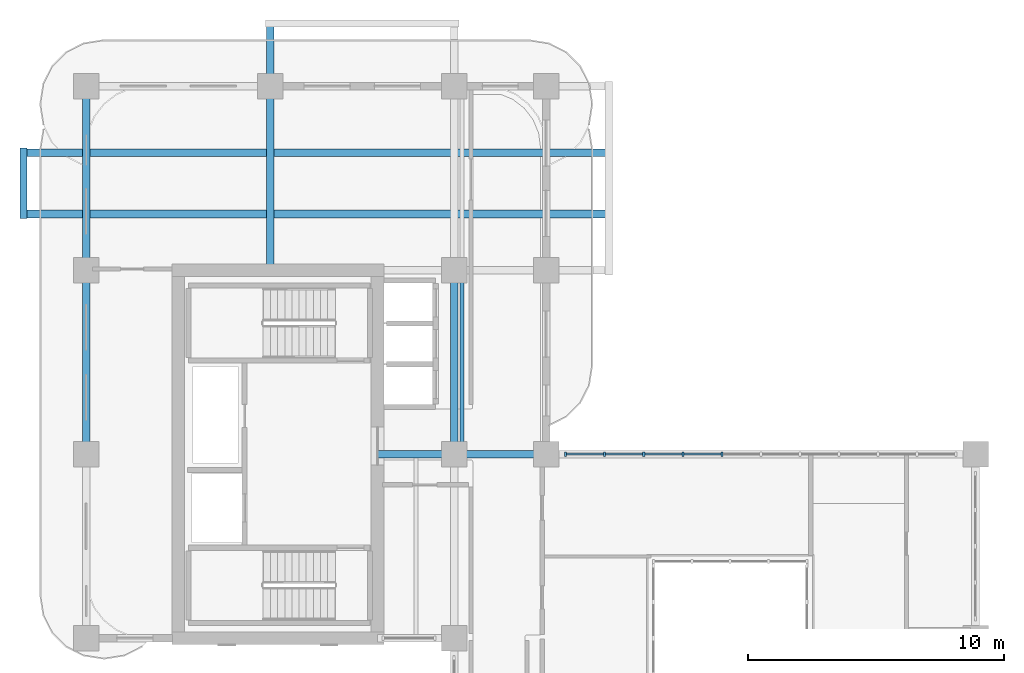
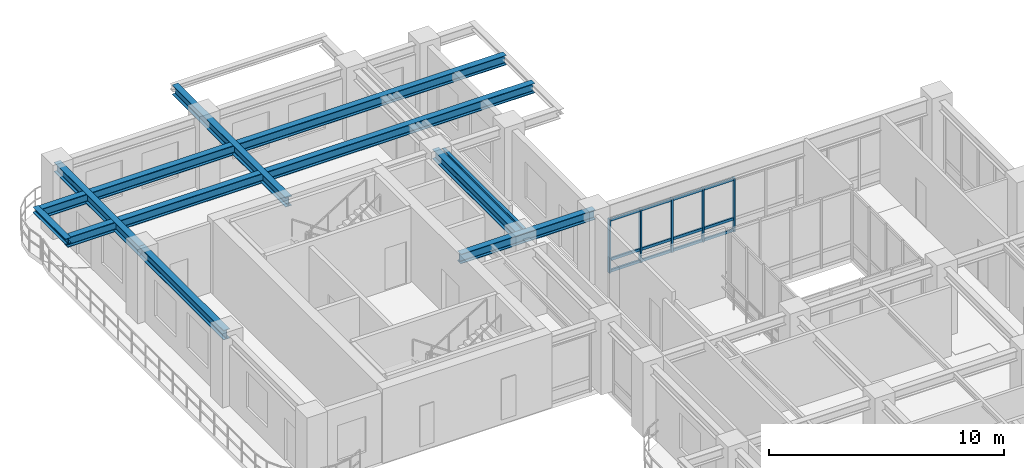
# One storey, part 5 of 19: 17 members, 9 beams, 1 element without a shape of its own.
"""IFC4 building model written with IfcOpenShell, lengths in metres."""

import ifcopenshell
import ifcopenshell.guid

model = None  # the IFC model being written
_history = None  # IfcOwnerHistory: only IFC2X3 demands one
_inside = {}  # id of a spatial element -> (the spatial element, [elements in it])
_under = {}  # id of a project, library or spatial element -> (it, [spatial elements below it])
_declared = {}  # id of a project -> (the project, [libraries it declares])
_typed = {}  # id of a type object -> (the type object, [elements of that type])
_made_of = {}  # id of a material, layer set ... -> (it, [elements and type objects made of it])


def new_model(schema):
    """Start an empty IFC model of exactly this schema.

    Asked for "IFC4X3", IfcOpenShell would pick the latest addendum, in which some entities
    have other attributes; the version numbers below select the first issue.
    IFC2X3 requires an IfcOwnerHistory on every rooted entity: one is made here for all.
    """
    global model, _history
    if schema == "IFC4X3":
        model = ifcopenshell.file(schema_version=(4, 3, 0, 0))
    else:
        model = ifcopenshell.file(schema=schema)
    _inside.clear()
    _under.clear()
    _declared.clear()
    _typed.clear()
    _made_of.clear()
    _history = None
    if model.schema == "IFC2X3":
        org = make("IfcOrganization", Name="unknown")
        user = make(
            "IfcPersonAndOrganization",
            ThePerson=make("IfcPerson", FamilyName="unknown"),
            TheOrganization=org,
        )
        app = make(
            "IfcApplication",
            ApplicationDeveloper=org,
            Version="unknown",
            ApplicationFullName="unknown",
            ApplicationIdentifier="unknown",
        )
        _history = make(
            "IfcOwnerHistory",
            OwningUser=user,
            OwningApplication=app,
            ChangeAction="ADDED",
            CreationDate=0,
        )
    return model


def make(cls, **values):
    """One entity of the class cls with the attributes given. An attribute that is None is left unset."""
    return model.create_entity(
        cls, **{name: value for name, value in values.items() if value is not None}
    )


def rooted(cls, **values):
    """An entity with a GlobalId (a new one), such as an element, a storey or a relation."""
    return make(cls, GlobalId=ifcopenshell.guid.new(), OwnerHistory=_history, **values)


def si_unit(unit_type, name, prefix=None):
    """IfcSIUnit, for example si_unit("LENGTHUNIT", "METRE", prefix="MILLI")."""
    return make("IfcSIUnit", UnitType=unit_type, Prefix=prefix, Name=name)


def derived_unit(unit_type, elements):
    """IfcDerivedUnit: a product of units, each with its exponent."""
    return make(
        "IfcDerivedUnit",
        Elements=[
            make("IfcDerivedUnitElement", Unit=unit, Exponent=power)
            for unit, power in elements
        ],
        UnitType=unit_type,
    )


def assignment(units):
    """IfcUnitAssignment: the units of a project."""
    return None if units is None else make("IfcUnitAssignment", Units=units)


def point(xyz):
    """IfcCartesianPoint."""
    return None if xyz is None else make("IfcCartesianPoint", Coordinates=xyz)


def direction(xyz):
    """IfcDirection."""
    return None if xyz is None else make("IfcDirection", DirectionRatios=xyz)


def frame(location, z_axis=None, x_axis=None):
    """IfcAxis2Placement3D, a coordinate frame: its origin and axes. An axis left out is left unset."""
    return make(
        "IfcAxis2Placement3D",
        Location=point(location),
        Axis=direction(z_axis),
        RefDirection=direction(x_axis),
    )


def frame_2d(location, x_axis=None):
    """IfcAxis2Placement2D, a coordinate frame in the plane: its origin and x axis."""
    return make(
        "IfcAxis2Placement2D", Location=point(location), RefDirection=direction(x_axis)
    )


def origin():
    """The frame at (0, 0, 0) with its axes left unset."""
    return frame((0.0, 0.0, 0.0))


def origin_2d():
    """The frame at (0, 0) in the plane with its x axis left unset."""
    return frame_2d((0.0, 0.0))


def place(relative_to, where):
    """IfcLocalPlacement: puts the frame where relative to a parent placement (None: the world)."""
    return make(
        "IfcLocalPlacement", PlacementRelTo=relative_to, RelativePlacement=where
    )


def context(
    kind, dimensions, precision=None, world=None, true_north=None, identifier=None
):
    """IfcGeometricRepresentationContext, for example the 3D "Model" context."""
    return make(
        "IfcGeometricRepresentationContext",
        ContextIdentifier=identifier,
        ContextType=kind,
        CoordinateSpaceDimension=dimensions,
        Precision=precision,
        WorldCoordinateSystem=world,
        TrueNorth=true_north,
    )


def subcontext(parent, identifier, kind, view, scale=None):
    """IfcGeometricRepresentationSubContext, for example "Body" below "Model"."""
    return make(
        "IfcGeometricRepresentationSubContext",
        ContextIdentifier=identifier,
        ContextType=kind,
        ParentContext=parent,
        TargetScale=scale,
        TargetView=view,
    )


def project(units=None, contexts=None):
    """IfcProject with its units and contexts."""
    return rooted(
        "IfcProject",
        Name="project",
        RepresentationContexts=contexts,
        UnitsInContext=assignment(units),
    )


def spatial(cls, under=None, at=None, **own):
    """A site, building, storey or space (cls), placed at a placement, below another one or the project."""
    s = rooted(cls, ObjectPlacement=at, **own)
    if under is not None:
        _under.setdefault(under.id(), (under, []))[1].append(s)
    return s


def profile(cls, at=None, kind="AREA", **sizes):
    """A parametric profile (cls). Its sizes go by their IFC names, for example OverallWidth=200.0."""
    return make(cls, ProfileType=kind, Position=at, **sizes)


def rectangle(**sizes):
    """IfcRectangleProfileDef."""
    return profile("IfcRectangleProfileDef", **sizes)


def i_section(**sizes):
    """IfcIShapeProfileDef."""
    return profile("IfcIShapeProfileDef", **sizes)


def extrude(swept, where, along, depth):
    """IfcExtrudedAreaSolid: the profile swept, set in the frame where, extruded along a direction by depth."""
    return make(
        "IfcExtrudedAreaSolid",
        SweptArea=swept,
        Position=where,
        ExtrudedDirection=direction(along),
        Depth=depth,
    )


def shape(context_of_items, identifier, shape_type, items):
    """IfcShapeRepresentation: the items that make up one representation, for example the "Body"."""
    return make(
        "IfcShapeRepresentation",
        ContextOfItems=context_of_items,
        RepresentationIdentifier=identifier,
        RepresentationType=shape_type,
        Items=items,
    )


def source(mapping_origin, context_of_items, identifier, shape_type, items):
    """IfcRepresentationMap: a shape defined once, which mapped items show again and again."""
    return make(
        "IfcRepresentationMap",
        MappingOrigin=mapping_origin,
        MappedRepresentation=shape(context_of_items, identifier, shape_type, items),
    )


def transform(
    local_origin,
    x_axis=None,
    y_axis=None,
    z_axis=None,
    scale=None,
    scale2=None,
    scale3=None,
    uniform=True,
):
    """IfcCartesianTransformationOperator3D, or its non-uniform kind. x_axis, y_axis, z_axis: its Axis1, 2, 3."""
    if uniform:
        return make(
            "IfcCartesianTransformationOperator3D",
            Axis1=direction(x_axis),
            Axis2=direction(y_axis),
            LocalOrigin=point(local_origin),
            Scale=scale,
            Axis3=direction(z_axis),
        )
    return make(
        "IfcCartesianTransformationOperator3DnonUniform",
        Axis1=direction(x_axis),
        Axis2=direction(y_axis),
        LocalOrigin=point(local_origin),
        Scale=scale,
        Axis3=direction(z_axis),
        Scale2=scale2,
        Scale3=scale3,
    )


def mapped(mapping_source, mapping_target):
    """IfcMappedItem: shows the shape of a source again, moved by a transform."""
    return make(
        "IfcMappedItem", MappingSource=mapping_source, MappingTarget=mapping_target
    )


def material(Name=None, Category=None):
    """IfcMaterial."""
    return make("IfcMaterial", Name=Name, Category=Category)


def layer(
    of_material, thickness, ventilated=None, Name=None, Category=None, Priority=None
):
    """IfcMaterialLayer: one layer of a wall or slab, of a material (None: an air gap)."""
    return make(
        "IfcMaterialLayer",
        Material=of_material,
        LayerThickness=thickness,
        IsVentilated=ventilated,
        Name=Name,
        Category=Category,
        Priority=Priority,
    )


def layer_set(layers, Name=None):
    """IfcMaterialLayerSet."""
    return make("IfcMaterialLayerSet", MaterialLayers=layers, LayerSetName=Name)


def material_profile(
    of_material, cross_section, Name=None, Category=None, Priority=None
):
    """IfcMaterialProfile: a cross section and its material."""
    return make(
        "IfcMaterialProfile",
        Name=Name,
        Material=of_material,
        Profile=cross_section,
        Priority=Priority,
        Category=Category,
    )


def profile_set(profiles, Name=None, composite=None):
    """IfcMaterialProfileSet."""
    return make(
        "IfcMaterialProfileSet",
        Name=Name,
        MaterialProfiles=profiles,
        CompositeProfile=composite,
    )


def made_of(thing, what):
    """Note that an element or type object is made of a material, layer set ...; save() writes the relation."""
    if what is not None:
        _made_of.setdefault(what.id(), (what, []))[1].append(thing)
    return thing


def type_object(cls, material=None, **own):
    """A type object (cls), such as IfcWallType, which elements share."""
    return made_of(rooted(cls, **own), material)


def type_shapes(of_type, sources):
    """Give a type object the sources (RepresentationMaps) that its elements show as mapped items."""
    of_type.RepresentationMaps = sources


def element(
    cls,
    number,
    at=None,
    inside=None,
    cuts=None,
    type_object=None,
    material=None,
    context=None,
    identifier="Body",
    shape_type=None,
    held_by="IfcProductDefinitionShape",
    body=None,
    shapes=None,
    **own,
):
    """One element of the class cls, such as IfcWall. Its Tag is "e" and its number.

    at: its placement. inside: the storey or other place that contains it. cuts: it is an
    opening in that element (IfcRelVoidsElement). A single representation is given by context,
    identifier, shape_type and body (its items); several are given by shapes. held_by: the class
    of the entity that holds the representations. save() writes the other relations.
    """
    e = rooted(cls, Tag="e%d" % number, ObjectPlacement=at, **own)
    if body is not None:
        shapes = [shape(context, identifier, shape_type, body)]
    if shapes is not None:
        e.Representation = make(held_by, Representations=shapes)
    if inside is not None:
        _inside.setdefault(inside.id(), (inside, []))[1].append(e)
    if cuts is not None:
        rooted(
            "IfcRelVoidsElement", RelatingBuildingElement=cuts, RelatedOpeningElement=e
        )
    if type_object is not None:
        _typed.setdefault(type_object.id(), (type_object, []))[1].append(e)
    return made_of(e, material)


def aggregate(whole, parts):
    """IfcRelAggregates: a whole, such as a stair, and the parts it consists of."""
    return rooted("IfcRelAggregates", RelatingObject=whole, RelatedObjects=parts)


def save(model, path):
    """Write the relations noted so far, then the file.

    IfcRelAggregates (storeys below a building ...), IfcRelContainedInSpatialStructure (elements
    in a storey), IfcRelDefinesByType, IfcRelAssociatesMaterial and IfcRelDeclares: one each for
    every whole, place, type object, material and project.
    """
    for whole, parts in _under.values():
        aggregate(whole, parts)
    for where, things in _inside.values():
        rooted(
            "IfcRelContainedInSpatialStructure",
            RelatedElements=things,
            RelatingStructure=where,
        )
    for kind, things in _typed.values():
        rooted("IfcRelDefinesByType", RelatedObjects=things, RelatingType=kind)
    for what, things in _made_of.values():
        rooted("IfcRelAssociatesMaterial", RelatedObjects=things, RelatingMaterial=what)
    for by, libraries in _declared.values():
        rooted("IfcRelDeclares", RelatingContext=by, RelatedDefinitions=libraries)
    model.write(path)


model = new_model("IFC4")

# Units and contexts
model_context = context("Model", 3, precision=1e-05, world=origin(), true_north=direction((0.0, 1.0)))
body_context = subcontext(model_context, "Body", "Model", "MODEL_VIEW")
ifc_project = project(units=[si_unit("LENGTHUNIT", "METRE"), si_unit("AREAUNIT", "SQUARE_METRE"), si_unit("VOLUMEUNIT", "CUBIC_METRE"), si_unit("PLANEANGLEUNIT", "RADIAN"), si_unit("MASSUNIT", "GRAM", prefix="KILO"), si_unit("THERMODYNAMICTEMPERATUREUNIT", "KELVIN"), si_unit("POWERUNIT", "WATT"), derived_unit("THERMALTRANSMITTANCEUNIT", [(si_unit("POWERUNIT", "WATT"), 1), (si_unit("AREAUNIT", "SQUARE_METRE"), -1), (si_unit("THERMODYNAMICTEMPERATUREUNIT", "KELVIN"), -1)])], contexts=[model_context])

# Site, building, storey
site_placement = place(None, origin())
site = spatial("IfcSite", under=ifc_project, at=site_placement, CompositionType="ELEMENT")
building_placement = place(site_placement, origin())
building = spatial("IfcBuilding", under=site, at=building_placement, Name="Zahravan Archway Hotel and Residences", CompositionType="ELEMENT")
storey_placement = place(building_placement, frame((0.0, 0.0, 150.300048828125)))
storey = spatial("IfcBuildingStorey", under=building, at=storey_placement, Name="L37", CompositionType="ELEMENT", Elevation=150.300048828125)

# Beams
ifc_material_1 = material(Name="Structural Steel S355JR", Category="steel")
ifc_material_profile_1 = material_profile(ifc_material_1, i_section(OverallWidth=0.280029296875, OverallDepth=0.280029296875, WebThickness=0.010498046875, FlangeThickness=0.01806640625, FilletRadius=0.02392578125, at=origin_2d()), Name="HEB 280", Category="steel")
ifc_profile_set_1 = profile_set([ifc_material_profile_1], Name="Structural Steel S355JR")
beam_type_1 = type_object("IfcBeamType", Name="BM-SPN-HEB280", PredefinedType="SPANDREL", material=ifc_profile_set_1)
shared_shape_1 = source(origin(), body_context, "Body", "SweptSolid", [
    extrude(i_section(OverallWidth=0.280029296875, OverallDepth=0.280029296875, WebThickness=0.010498046875, FlangeThickness=0.01806640625, FilletRadius=0.02392578125, at=origin_2d()), origin(), (0.0, 0.0, 1.0), 2.759765625),
])
beam_1_placement = place(storey_placement, frame((-2.449951171875, 41.6201171875, 3.4599609375), z_axis=(0.0, 1.0, 0.0), x_axis=(-1.0, 0.0, 0.0)))
element("IfcBeam", 1, at=beam_1_placement, inside=storey, type_object=beam_type_1, Name="L38 WB Balcony Edge Spandrel", PredefinedType="SPANDREL", context=body_context, shape_type="MappedRepresentation", body=[
    mapped(shared_shape_1, transform((0.0, 0.0, 0.0), scale=1.0)),
])
ifc_material_profile_2 = material_profile(ifc_material_1, i_section(OverallWidth=0.300048828125, OverallDepth=0.5, WebThickness=0.014404296875, FlangeThickness=0.028076171875, FilletRadius=0.027099609375, at=origin_2d()), Name="HEB 500", Category="steel")
ifc_profile_set_2 = profile_set([ifc_material_profile_2], Name="Structural Steel S355JR")
beam_type_2 = type_object("IfcBeamType", Name="BM-PRI-HEB500", PredefinedType="BEAM", material=ifc_profile_set_2)
shared_shape_2 = source(origin(), body_context, "Body", "SweptSolid", [
    extrude(i_section(OverallWidth=0.300048828125, OverallDepth=0.5, WebThickness=0.014404296875, FlangeThickness=0.028076171875, FilletRadius=0.027099609375, at=origin_2d()), origin(), (0.0, 0.0, 1.0), 7.2001953125),
])
type_shapes(beam_type_2, [shared_shape_2])
for number, where, z_axis, x_axis, name in (
    (2, (0.0, 32.39990234375, 3.349853515625), (0.0, 1.0, 0.0), (-1.0, 0.0, 0.0), "L37 Primary Girder NS-25"),
    (3, (14.39990234375, 32.39990234375, 3.349853515625), (0.0, 1.0, 0.0), (-1.0, 0.0, 0.0), "L37 Primary Girder NS-33"),
):
    element("IfcBeam", number, at=place(storey_placement, frame(where, z_axis=z_axis, x_axis=x_axis)), inside=storey, type_object=beam_type_2, Name=name, PredefinedType="BEAM", context=body_context, shape_type="MappedRepresentation", body=[
        mapped(shared_shape_2, transform((0.0, 0.0, 0.0), scale=1.0)),
    ])
shared_shape_3 = source(origin(), body_context, "Body", "SweptSolid", [
    extrude(i_section(OverallWidth=0.300048828125, OverallDepth=0.5, WebThickness=0.014404296875, FlangeThickness=0.028076171875, FilletRadius=0.027099609375, at=origin_2d()), origin(), (0.0, 0.0, 1.0), 7.199951171875),
])
beam_2_placement = place(storey_placement, frame((0.0, 39.60009765625, 3.349853515625), z_axis=(0.0, 1.0, 0.0), x_axis=(-1.0, 0.0, 0.0)))
element("IfcBeam", 4, at=beam_2_placement, inside=storey, type_object=beam_type_2, Name="L37 Primary Girder NS-26", PredefinedType="BEAM", context=body_context, shape_type="MappedRepresentation", body=[
    mapped(shared_shape_3, transform((0.0, 0.0, 0.0), scale=1.0)),
])
shared_shape_4 = source(origin(), body_context, "Body", "SweptSolid", [
    extrude(i_section(OverallWidth=0.300048828125, OverallDepth=0.5, WebThickness=0.014404296875, FlangeThickness=0.028076171875, FilletRadius=0.027099609375, at=origin_2d()), origin(), (0.0, 0.0, 1.0), 6.60009765625),
])
beam_3_placement = place(storey_placement, frame((11.39990234375, 32.39990234375, 3.349853515625), z_axis=(1.0, 0.0, 0.0), x_axis=(0.0, 1.0, 0.0)))
element("IfcBeam", 5, at=beam_3_placement, inside=storey, type_object=beam_type_2, Name="L37 Primary Girder EW-17", PredefinedType="BEAM", context=body_context, shape_type="MappedRepresentation", body=[
    mapped(shared_shape_4, transform((0.0, 0.0, 0.0), scale=1.0)),
])
shared_shape_5 = source(origin(), body_context, "Body", "SweptSolid", [
    extrude(i_section(OverallWidth=0.300048828125, OverallDepth=0.5, WebThickness=0.014404296875, FlangeThickness=0.028076171875, FilletRadius=0.027099609375, at=origin_2d()), origin(), (0.0, 0.0, 1.0), 22.89990234375),
])
for number, where, z_axis, x_axis, name in (
    (6, (-2.449951171875, 41.800048828125, 3.349853515625), (1.0, 0.0, 0.0), (0.0, 1.0, 0.0), "L37 Primary Girder EW-22"),
    (7, (-2.449951171875, 44.199951171875, 3.349853515625), (1.0, 0.0, 0.0), (0.0, 1.0, 0.0), "L37 Primary Girder EW-23"),
):
    element("IfcBeam", number, at=place(storey_placement, frame(where, z_axis=z_axis, x_axis=x_axis)), inside=storey, type_object=beam_type_2, Name=name, PredefinedType="BEAM", context=body_context, shape_type="MappedRepresentation", body=[
        mapped(shared_shape_5, transform((0.0, 0.0, 0.0), scale=1.0)),
    ])
shared_shape_6 = source(origin(), body_context, "Body", "SweptSolid", [
    extrude(i_section(OverallWidth=0.300048828125, OverallDepth=0.5, WebThickness=0.014404296875, FlangeThickness=0.028076171875, FilletRadius=0.027099609375, at=origin_2d()), origin(), (0.0, 0.0, 1.0), 9.64990234375),
])
beam_4_placement = place(storey_placement, frame((7.199951171875, 39.60009765625, 3.349853515625), z_axis=(0.0, 1.0, 0.0), x_axis=(-1.0, 0.0, 0.0)))
element("IfcBeam", 8, at=beam_4_placement, inside=storey, type_object=beam_type_2, Name="L37 Primary Girder NS-27", PredefinedType="BEAM", context=body_context, shape_type="MappedRepresentation", body=[
    mapped(shared_shape_6, transform((0.0, 0.0, 0.0), scale=1.0)),
])
ifc_material_profile_3 = material_profile(ifc_material_1, i_section(OverallWidth=0.14990234375, OverallDepth=0.300048828125, WebThickness=0.007080078125, FlangeThickness=0.0107421875, FilletRadius=0.014892578125, at=origin_2d()), Name="IPE 300", Category="steel")
ifc_profile_set_3 = profile_set([ifc_material_profile_3], Name="Structural Steel S355JR")
beam_type_3 = type_object("IfcBeamType", Name="BM-JST-IPE300", PredefinedType="JOIST", material=ifc_profile_set_3)
shared_shape_7 = source(origin(), body_context, "Body", "SweptSolid", [
    extrude(i_section(OverallWidth=0.14990234375, OverallDepth=0.300048828125, WebThickness=0.007080078125, FlangeThickness=0.0107421875, FilletRadius=0.014892578125, at=origin_2d()), origin(), (0.0, 0.0, 1.0), 6.90380859375),
])
beam_5_placement = place(storey_placement, frame((14.699951171875, 32.548095703125, 3.449951171875), z_axis=(0.0, 1.0, 0.0), x_axis=(-1.0, 0.0, 0.0)))
element("IfcBeam", 9, at=beam_5_placement, inside=storey, type_object=beam_type_3, Name="L37 Composite Floor Joist 11", PredefinedType="JOIST", context=body_context, shape_type="MappedRepresentation", body=[
    mapped(shared_shape_7, transform((0.0, 0.0, 0.0), scale=1.0)),
])

# Curtain wall, members
ifc_material_2 = material(Name="Bronze-Anodized Unitised Aluminium & Low-E Glass", Category="aluminium")
ifc_layer = layer(ifc_material_2, 0.179931640625, Name="Bronze-Anodized Unitised Aluminium & Low-E Glass", Category="aluminium")
ifc_layer_set = layer_set([ifc_layer], Name="Bronze-Anodized Unitised Aluminium & Low-E Glass")
curtain_wall_type = type_object("IfcCurtainWallType", Name="CW-ATR-GLAZ", PredefinedType="NOTDEFINED", material=ifc_layer_set)
curtain_wall_placement = place(storey_placement, origin())
curtain_wall = element("IfcCurtainWall", 10, at=curtain_wall_placement, inside=storey, type_object=curtain_wall_type, Name="L37 Curtain Wall CW-L37-HNG-N-1", PredefinedType="NOTDEFINED")
ifc_material_3 = material(Name="Bronze-Anodized Extruded Aluminium", Category="aluminium")
ifc_material_profile_4 = material_profile(ifc_material_3, rectangle(XDim=0.080078125, YDim=0.139892578125, at=origin_2d()), Name="TRN 80x140", Category="aluminium")
ifc_profile_set_4 = profile_set([ifc_material_profile_4], Name="Bronze-Anodized Extruded Aluminium")
member_type_1 = type_object("IfcMemberType", Name="CWM-TRN-140", PredefinedType="USERDEFINED", material=ifc_profile_set_4)
shared_shape_8 = source(origin(), body_context, "Body", "SweptSolid", [
    extrude(rectangle(XDim=0.080078125, YDim=0.139892578125, at=origin_2d()), origin(), (0.0, 0.0, 1.0), 1.447998046875),
])
member_1_placement = place(storey_placement, frame((18.800048828125, 32.39990234375, 0.070068359375), z_axis=(1.0, 0.0, 0.0), x_axis=(0.0, 1.0, 0.0)))
member_1 = element("IfcMember", 11, at=member_1_placement, type_object=member_type_1, Name="CW-L37-HNG-N-1 Transom 0-1", ObjectType="TRANSOM", PredefinedType="USERDEFINED", context=body_context, shape_type="MappedRepresentation", body=[
    mapped(shared_shape_8, transform((0.0, 0.0, 0.0), scale=1.0)),
])
member_2_placement = place(storey_placement, frame((18.800048828125, 32.39990234375, 0.66845703125), z_axis=(1.0, 0.0, 0.0), x_axis=(0.0, 1.0, 0.0)))
member_2 = element("IfcMember", 12, at=member_2_placement, type_object=member_type_1, Name="CW-L37-HNG-N-1 Transom 0-2", ObjectType="TRANSOM", PredefinedType="USERDEFINED", context=body_context, shape_type="MappedRepresentation", body=[
    mapped(shared_shape_8, transform((0.0, 0.0, 0.0), scale=1.0)),
])
member_3_placement = place(storey_placement, frame((18.800048828125, 32.39990234375, 2.71484375), z_axis=(1.0, 0.0, 0.0), x_axis=(0.0, 1.0, 0.0)))
member_3 = element("IfcMember", 13, at=member_3_placement, type_object=member_type_1, Name="CW-L37-HNG-N-1 Transom 0-3", ObjectType="TRANSOM", PredefinedType="USERDEFINED", context=body_context, shape_type="MappedRepresentation", body=[
    mapped(shared_shape_8, transform((0.0, 0.0, 0.0), scale=1.0)),
])
member_4_placement = place(storey_placement, frame((20.327880859375, 32.39990234375, 0.070068359375), z_axis=(1.0, 0.0, 0.0), x_axis=(0.0, 1.0, 0.0)))
member_4 = element("IfcMember", 14, at=member_4_placement, type_object=member_type_1, Name="CW-L37-HNG-N-1 Transom 1-1", ObjectType="TRANSOM", PredefinedType="USERDEFINED", context=body_context, shape_type="MappedRepresentation", body=[
    mapped(shared_shape_8, transform((0.0, 0.0, 0.0), scale=1.0)),
])
member_5_placement = place(storey_placement, frame((20.327880859375, 32.39990234375, 0.66845703125), z_axis=(1.0, 0.0, 0.0), x_axis=(0.0, 1.0, 0.0)))
member_5 = element("IfcMember", 15, at=member_5_placement, type_object=member_type_1, Name="CW-L37-HNG-N-1 Transom 1-2", ObjectType="TRANSOM", PredefinedType="USERDEFINED", context=body_context, shape_type="MappedRepresentation", body=[
    mapped(shared_shape_8, transform((0.0, 0.0, 0.0), scale=1.0)),
])
member_6_placement = place(storey_placement, frame((20.327880859375, 32.39990234375, 2.71484375), z_axis=(1.0, 0.0, 0.0), x_axis=(0.0, 1.0, 0.0)))
member_6 = element("IfcMember", 16, at=member_6_placement, type_object=member_type_1, Name="CW-L37-HNG-N-1 Transom 1-3", ObjectType="TRANSOM", PredefinedType="USERDEFINED", context=body_context, shape_type="MappedRepresentation", body=[
    mapped(shared_shape_8, transform((0.0, 0.0, 0.0), scale=1.0)),
])
member_7_placement = place(storey_placement, frame((21.85595703125, 32.39990234375, 0.070068359375), z_axis=(1.0, 0.0, 0.0), x_axis=(0.0, 1.0, 0.0)))
member_7 = element("IfcMember", 17, at=member_7_placement, type_object=member_type_1, Name="CW-L37-HNG-N-1 Transom 2-1", ObjectType="TRANSOM", PredefinedType="USERDEFINED", context=body_context, shape_type="MappedRepresentation", body=[
    mapped(shared_shape_8, transform((0.0, 0.0, 0.0), scale=1.0)),
])
member_8_placement = place(storey_placement, frame((21.85595703125, 32.39990234375, 0.66845703125), z_axis=(1.0, 0.0, 0.0), x_axis=(0.0, 1.0, 0.0)))
member_8 = element("IfcMember", 18, at=member_8_placement, type_object=member_type_1, Name="CW-L37-HNG-N-1 Transom 2-2", ObjectType="TRANSOM", PredefinedType="USERDEFINED", context=body_context, shape_type="MappedRepresentation", body=[
    mapped(shared_shape_8, transform((0.0, 0.0, 0.0), scale=1.0)),
])
member_9_placement = place(storey_placement, frame((21.85595703125, 32.39990234375, 2.71484375), z_axis=(1.0, 0.0, 0.0), x_axis=(0.0, 1.0, 0.0)))
member_9 = element("IfcMember", 19, at=member_9_placement, type_object=member_type_1, Name="CW-L37-HNG-N-1 Transom 2-3", ObjectType="TRANSOM", PredefinedType="USERDEFINED", context=body_context, shape_type="MappedRepresentation", body=[
    mapped(shared_shape_8, transform((0.0, 0.0, 0.0), scale=1.0)),
])
member_10_placement = place(storey_placement, frame((23.384033203125, 32.39990234375, 0.070068359375), z_axis=(1.0, 0.0, 0.0), x_axis=(0.0, 1.0, 0.0)))
member_10 = element("IfcMember", 20, at=member_10_placement, type_object=member_type_1, Name="CW-L37-HNG-N-1 Transom 3-1", ObjectType="TRANSOM", PredefinedType="USERDEFINED", context=body_context, shape_type="MappedRepresentation", body=[
    mapped(shared_shape_8, transform((0.0, 0.0, 0.0), scale=1.0)),
])
member_11_placement = place(storey_placement, frame((23.384033203125, 32.39990234375, 0.66845703125), z_axis=(1.0, 0.0, 0.0), x_axis=(0.0, 1.0, 0.0)))
member_11 = element("IfcMember", 21, at=member_11_placement, type_object=member_type_1, Name="CW-L37-HNG-N-1 Transom 3-2", ObjectType="TRANSOM", PredefinedType="USERDEFINED", context=body_context, shape_type="MappedRepresentation", body=[
    mapped(shared_shape_8, transform((0.0, 0.0, 0.0), scale=1.0)),
])
member_12_placement = place(storey_placement, frame((23.384033203125, 32.39990234375, 2.71484375), z_axis=(1.0, 0.0, 0.0), x_axis=(0.0, 1.0, 0.0)))
member_12 = element("IfcMember", 22, at=member_12_placement, type_object=member_type_1, Name="CW-L37-HNG-N-1 Transom 3-3", ObjectType="TRANSOM", PredefinedType="USERDEFINED", context=body_context, shape_type="MappedRepresentation", body=[
    mapped(shared_shape_8, transform((0.0, 0.0, 0.0), scale=1.0)),
])
ifc_material_profile_5 = material_profile(ifc_material_3, rectangle(XDim=0.080078125, YDim=0.159912109375, at=origin_2d()), Name="MUL 80x160", Category="aluminium")
ifc_profile_set_5 = profile_set([ifc_material_profile_5], Name="Bronze-Anodized Extruded Aluminium")
member_type_2 = type_object("IfcMemberType", Name="CWM-MUL-160", PredefinedType="MULLION", material=ifc_profile_set_5)
shared_shape_9 = source(origin(), body_context, "Body", "SweptSolid", [
    extrude(rectangle(XDim=0.080078125, YDim=0.159912109375, at=origin_2d()), origin(), (0.0, 0.0, 1.0), 2.784912109375),
])
member_13_placement = place(storey_placement, frame((18.760009765625, 32.39990234375, 0.0), z_axis=(0.0, 0.0, 1.0), x_axis=(1.0, 0.0, 0.0)))
member_13 = element("IfcMember", 23, at=member_13_placement, type_object=member_type_2, Name="CW-L37-HNG-N-1 Mullion 0", PredefinedType="MULLION", context=body_context, shape_type="MappedRepresentation", body=[
    mapped(shared_shape_9, transform((0.0, 0.0, 0.0), scale=1.0)),
])
member_14_placement = place(storey_placement, frame((20.2880859375, 32.39990234375, 0.0), z_axis=(0.0, 0.0, 1.0), x_axis=(1.0, 0.0, 0.0)))
member_14 = element("IfcMember", 24, at=member_14_placement, type_object=member_type_2, Name="CW-L37-HNG-N-1 Mullion 1", PredefinedType="MULLION", context=body_context, shape_type="MappedRepresentation", body=[
    mapped(shared_shape_9, transform((0.0, 0.0, 0.0), scale=1.0)),
])
member_15_placement = place(storey_placement, frame((21.81591796875, 32.39990234375, 0.0), z_axis=(0.0, 0.0, 1.0), x_axis=(1.0, 0.0, 0.0)))
member_15 = element("IfcMember", 25, at=member_15_placement, type_object=member_type_2, Name="CW-L37-HNG-N-1 Mullion 2", PredefinedType="MULLION", context=body_context, shape_type="MappedRepresentation", body=[
    mapped(shared_shape_9, transform((0.0, 0.0, 0.0), scale=1.0)),
])
member_16_placement = place(storey_placement, frame((23.343994140625, 32.39990234375, 0.0), z_axis=(0.0, 0.0, 1.0), x_axis=(1.0, 0.0, 0.0)))
member_16 = element("IfcMember", 26, at=member_16_placement, type_object=member_type_2, Name="CW-L37-HNG-N-1 Mullion 3", PredefinedType="MULLION", context=body_context, shape_type="MappedRepresentation", body=[
    mapped(shared_shape_9, transform((0.0, 0.0, 0.0), scale=1.0)),
])
member_17_placement = place(storey_placement, frame((24.8720703125, 32.39990234375, 0.0), z_axis=(0.0, 0.0, 1.0), x_axis=(1.0, 0.0, 0.0)))
member_17 = element("IfcMember", 27, at=member_17_placement, type_object=member_type_2, Name="CW-L37-HNG-N-1 Mullion 4", PredefinedType="MULLION", context=body_context, shape_type="MappedRepresentation", body=[
    mapped(shared_shape_9, transform((0.0, 0.0, 0.0), scale=1.0)),
])
aggregate(curtain_wall, [member_13, member_14, member_15, member_16, member_17, member_1, member_2, member_3, member_4, member_5, member_6, member_7, member_8, member_9, member_10, member_11, member_12])

save(model, "model.ifc")
